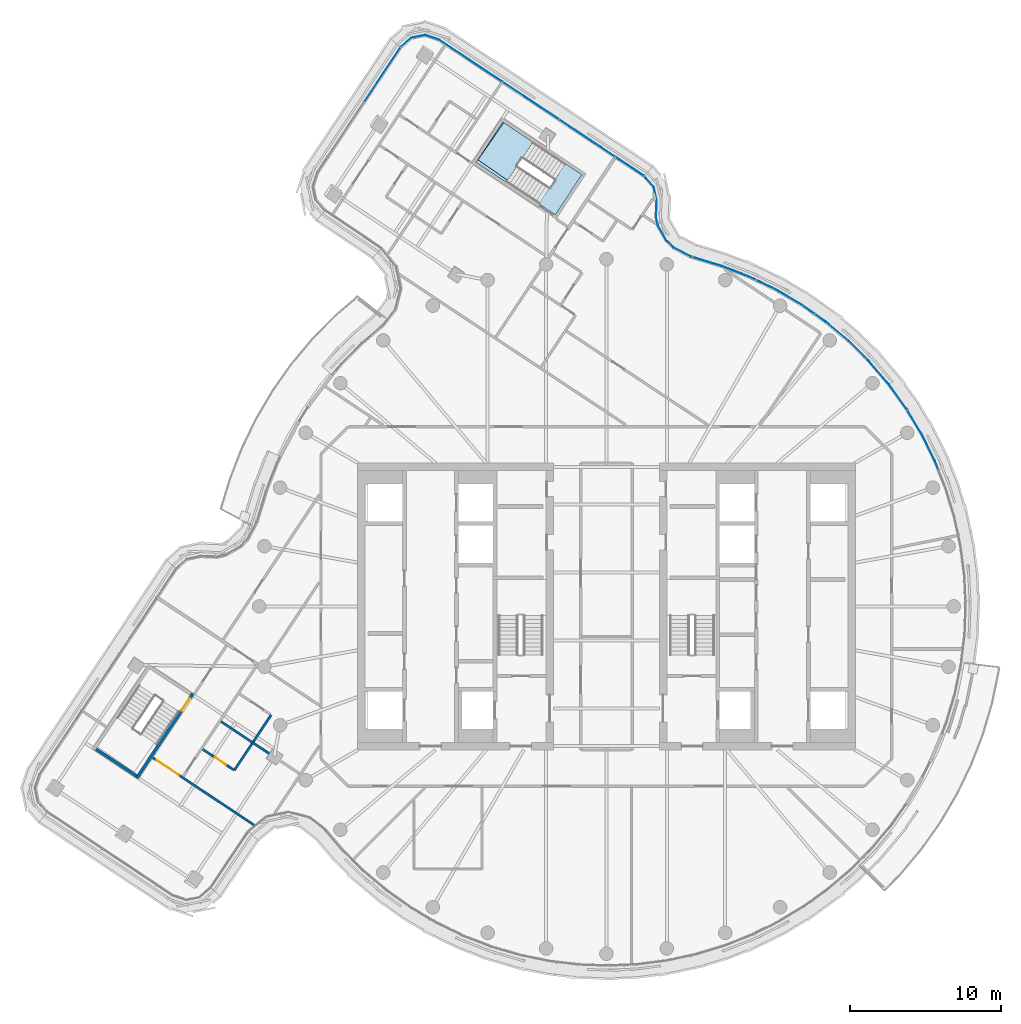
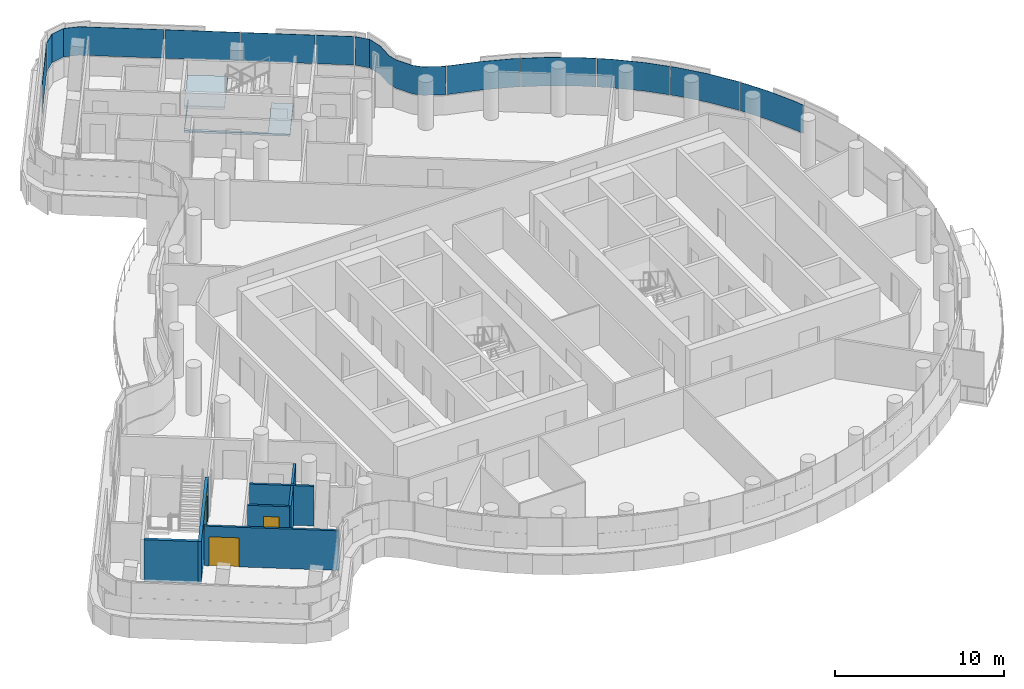
# One storey, part 16 of 27: 11 plates, 6 walls, 3 doors, 2 slabs, 3 openings, 4 elements without a shape of their own.
"""IFC4 building model written with IfcOpenShell, lengths in metres."""

from ifc_helpers import new_model, si_unit, direction, frame, frame_2d, origin, place, context, subcontext, project, spatial, polyline, rectangle, outline, extrude, material, layer, layer_set, type_object, element, fill, aggregate, save


model = new_model("IFC4")

# Units and contexts
model_context = context("Model", 3, precision=1e-05, world=origin(), true_north=direction((0.0, 1.0)))
body_context = subcontext(model_context, "Body", "Model", "MODEL_VIEW")
ifc_project = project(units=[si_unit("LENGTHUNIT", "METRE"), si_unit("AREAUNIT", "SQUARE_METRE"), si_unit("VOLUMEUNIT", "CUBIC_METRE"), si_unit("PLANEANGLEUNIT", "RADIAN"), si_unit("MASSUNIT", "GRAM", prefix="KILO")], contexts=[model_context])

# Site, building, storey
site_placement = place(None, origin())
site = spatial("IfcSite", under=ifc_project, at=site_placement, CompositionType="ELEMENT")
building_placement = place(site_placement, origin())
building = spatial("IfcBuilding", under=site, at=building_placement, Name="Tamarind Cross Interchange Tower", CompositionType="ELEMENT")
storey_placement = place(building_placement, frame((0.0, 0.0, 237.89990234375)))
storey = spatial("IfcBuildingStorey", under=building, at=storey_placement, Name="L60", CompositionType="ELEMENT", Elevation=237.89990234375)

# Slab
ifc_material_1 = material(Name="Concrete C35", Category="concrete")
ifc_layer_1 = layer(ifc_material_1, 0.139892578125)
ifc_layer_set_1 = layer_set([ifc_layer_1], Name="Concrete C35")
slab_type_1 = type_object("IfcSlabType", Name="Composite slab 140 Concrete C35", PredefinedType="FLOOR", material=ifc_layer_set_1)
slab_1_placement = place(storey_placement, frame((0.0, 0.0, -0.139892578125)))
element("IfcSlab", 1, at=slab_1_placement, inside=storey, type_object=slab_type_1, Name="Floor slab L60", PredefinedType="FLOOR", context=body_context, shape_type="SweptSolid", body=[
    extrude(outline(polyline([(-6.869873046875, 32.08251953125), (-8.6396484375, 29.41650390625), (-3.39111328125, 25.931884765625), (-1.62109375, 28.597900390625), (-2.645263671875, 29.277587890625), (-2.70703125, 29.318603515625), (-2.71435546875, 29.323486328125), (-4.42041015625, 26.753662109375), (-8.503173828125, 29.57275390625), (-6.801513671875, 32.037109375), (-6.869873046875, 32.08251953125)])), origin(), (0.0, 0.0, 1.0), 0.139892578125),
])

# Stair, slab
ifc_material_2 = material(Name="Exit stair")
stair_type = type_object("IfcStairType", Name="Exit stair", PredefinedType="HALF_TURN_STAIR", material=ifc_material_2)
stair_placement = place(storey_placement, origin())
stair = element("IfcStair", 2, at=stair_placement, inside=storey, type_object=stair_type, Name="L60 exit stair ST4", PredefinedType="HALF_TURN_STAIR")
ifc_material_3 = material(Name="Concrete C40", Category="concrete")
ifc_layer_2 = layer(ifc_material_3, 0.199951171875)
ifc_layer_set_2 = layer_set([ifc_layer_2], Name="Concrete C40")
slab_type_2 = type_object("IfcSlabType", Name="Stair landing", PredefinedType="LANDING", material=ifc_layer_set_2)
slab_2_placement = place(storey_placement, frame((0.0, 0.0, 1.60009765625)))
slab_2 = element("IfcSlab", 3, at=slab_2_placement, type_object=slab_type_2, Name="ST4 landing 1", PredefinedType="LANDING", context=body_context, shape_type="SweptSolid", body=[
    extrude(outline(polyline([(-4.8603515625, 30.748291015625), (-6.869873046875, 32.08251953125), (-8.6396484375, 29.41650390625), (-6.63037109375, 28.08251953125), (-4.8603515625, 30.748291015625)])), origin(), (0.0, 0.0, 1.0), 0.199951171875),
])
aggregate(stair, [slab_2])

# Curtain wall, plates
ifc_material_4 = material(Name="Aluminium 6063-T6", Category="aluminium")
ifc_layer_3 = layer(ifc_material_4, 0.139892578125)
ifc_layer_set_3 = layer_set([ifc_layer_3], Name="Aluminium 6063-T6")
curtain_wall_type = type_object("IfcCurtainWallType", Name="Hotel curtain wall, 4.5 m bays", PredefinedType="NOTDEFINED", material=ifc_layer_set_3)
curtain_wall_1_placement = place(storey_placement, origin())
curtain_wall_1 = element("IfcCurtainWall", 4, at=curtain_wall_1_placement, inside=storey, type_object=curtain_wall_type, Name="CWS-L60-02", PredefinedType="NOTDEFINED")
ifc_material_5 = material(Name="Laminated low-e glass 6+1.52+6", Category="glass")
ifc_layer_4 = layer(ifc_material_5, 0.02392578125)
ifc_layer_set_4 = layer_set([ifc_layer_4], Name="Laminated low-e glass 6+1.52+6")
plate_type = type_object("IfcPlateType", Name="Vision panel CW2", PredefinedType="CURTAIN_PANEL", material=ifc_layer_set_4)
plate_1_placement = place(storey_placement, frame((0.0, 0.0, 1.400146484375)))
plate_1 = element("IfcPlate", 5, at=plate_1_placement, type_object=plate_type, Name="CWP-L60-02-16", PredefinedType="CURTAIN_PANEL", context=body_context, shape_type="SweptSolid", body=[
    extrude(outline(polyline([(21.971923828125, 9.05859375), (21.7392578125, 9.6474609375), (20.868408203125, 11.40966796875), (19.93701171875, 12.95751953125), (19.95751953125, 12.9697265625), (20.889404296875, 11.421142578125), (21.76123046875, 9.6572265625), (21.994140625, 9.0673828125), (21.971923828125, 9.05859375)])), origin(), (0.0, 0.0, 1.0), 2.06005859375),
])
plate_2_placement = place(storey_placement, frame((0.0, 0.0, 1.400146484375)))
plate_2 = element("IfcPlate", 6, at=plate_2_placement, type_object=plate_type, Name="CWP-L60-02-17", PredefinedType="CURTAIN_PANEL", context=body_context, shape_type="SweptSolid", body=[
    extrude(outline(polyline([(19.906005859375, 13.0087890625), (19.854736328125, 13.093994140625), (18.705810546875, 14.68896484375), (17.4287109375, 16.183349609375), (17.1640625, 16.44580078125), (17.18115234375, 16.462890625), (17.4462890625, 16.19970703125), (18.724609375, 14.703857421875), (19.874755859375, 13.107177734375), (19.926513671875, 13.021240234375), (19.906005859375, 13.0087890625)])), origin(), (0.0, 0.0, 1.0), 2.06005859375),
])
plate_3_placement = place(storey_placement, frame((0.0, 0.0, 1.400146484375)))
plate_3 = element("IfcPlate", 7, at=plate_3_placement, type_object=plate_type, Name="CWP-L60-02-18", PredefinedType="CURTAIN_PANEL", context=body_context, shape_type="SweptSolid", body=[
    extrude(outline(polyline([(17.12158203125, 16.488037109375), (16.032958984375, 17.5673828125), (14.52734375, 18.83154296875), (13.78759765625, 19.35498046875), (13.80126953125, 19.37451171875), (14.5419921875, 18.850341796875), (16.049072265625, 17.585205078125), (17.138427734375, 16.505126953125), (17.12158203125, 16.488037109375)])), origin(), (0.0, 0.0, 1.0), 2.06005859375),
])
plate_4_placement = place(storey_placement, frame((0.0, 0.0, 1.400146484375)))
plate_4 = element("IfcPlate", 8, at=plate_4_placement, type_object=plate_type, Name="CWP-L60-02-19", PredefinedType="CURTAIN_PANEL", context=body_context, shape_type="SweptSolid", body=[
    extrude(outline(polyline([(13.738525390625, 19.3896484375), (12.922607421875, 19.966796875), (11.229736328125, 20.9658203125), (9.93310546875, 21.5927734375), (9.943603515625, 21.6142578125), (11.240966796875, 20.98681640625), (12.935791015625, 19.987060546875), (13.75244140625, 19.4091796875), (13.738525390625, 19.3896484375)])), origin(), (0.0, 0.0, 1.0), 2.06005859375),
])
plate_5_placement = place(storey_placement, frame((0.0, 0.0, 1.400146484375)))
plate_5 = element("IfcPlate", 9, at=plate_5_placement, type_object=plate_type, Name="CWP-L60-02-20", PredefinedType="CURTAIN_PANEL", context=body_context, shape_type="SweptSolid", body=[
    extrude(outline(polyline([(9.879150390625, 21.618896484375), (9.4599609375, 21.821533203125), (7.62451171875, 22.528564453125), (5.71044921875, 23.115966796875), (5.717529296875, 23.138916015625), (7.63232421875, 22.55126953125), (9.469482421875, 21.843505859375), (9.889404296875, 21.640380859375), (9.879150390625, 21.618896484375)])), origin(), (0.0, 0.0, 1.0), 2.06005859375),
])
plate_6_placement = place(storey_placement, frame((0.0, 0.0, 1.400146484375)))
plate_6 = element("IfcPlate", 10, at=plate_6_placement, type_object=plate_type, Name="CWP-L60-02-21", PredefinedType="CURTAIN_PANEL", context=body_context, shape_type="SweptSolid", body=[
    extrude(outline(polyline([(5.653076171875, 23.133544921875), (5.567626953125, 23.15966796875), (4.42626953125, 23.765625), (3.9921875, 24.186279296875), (3.416015625, 25.192626953125), (3.273193359375, 25.77978515625), (3.3203125, 26.87841796875), (3.122314453125, 27.790283203125), (2.520263671875, 28.4658203125), (2.538330078125, 28.48193359375), (3.144287109375, 27.801513671875), (3.344482421875, 26.88037109375), (3.29736328125, 25.7822265625), (3.4384765625, 25.20166015625), (4.01123046875, 24.200927734375), (4.4404296875, 23.785400390625), (5.576904296875, 23.181884765625), (5.66015625, 23.156494140625), (5.653076171875, 23.133544921875)])), origin(), (0.0, 0.0, 1.0), 2.06005859375),
])
aggregate(curtain_wall_1, [plate_1, plate_2, plate_3, plate_4, plate_5, plate_6])

curtain_wall_2_placement = place(storey_placement, origin())
curtain_wall_2 = element("IfcCurtainWall", 11, at=curtain_wall_2_placement, inside=storey, type_object=curtain_wall_type, Name="CWS-L60-03", PredefinedType="NOTDEFINED")
plate_7_placement = place(storey_placement, frame((0.0, 0.0, 1.400146484375)))
plate_7 = element("IfcPlate", 12, at=plate_7_placement, type_object=plate_type, Name="CWP-L60-03-00", PredefinedType="CURTAIN_PANEL", context=body_context, shape_type="SweptSolid", body=[
    extrude(outline(polyline([(2.477783203125, 28.5029296875), (0.598388671875, 29.75048828125), (0.611572265625, 29.7705078125), (2.490966796875, 28.52294921875), (2.477783203125, 28.5029296875)])), origin(), (0.0, 0.0, 1.0), 2.06005859375),
])
plate_8_placement = place(storey_placement, frame((0.0, 0.0, 1.400146484375)))
plate_8 = element("IfcPlate", 13, at=plate_8_placement, type_object=plate_type, Name="CWP-L60-03-01", PredefinedType="CURTAIN_PANEL", context=body_context, shape_type="SweptSolid", body=[
    extrude(outline(polyline([(0.54833984375, 29.78369140625), (-3.138671875, 32.231689453125), (-3.12548828125, 32.251708984375), (0.5615234375, 29.8037109375), (0.54833984375, 29.78369140625)])), origin(), (0.0, 0.0, 1.0), 2.06005859375),
])
plate_9_placement = place(storey_placement, frame((0.0, 0.0, 1.400146484375)))
plate_9 = element("IfcPlate", 14, at=plate_9_placement, type_object=plate_type, Name="CWP-L60-03-02", PredefinedType="CURTAIN_PANEL", context=body_context, shape_type="SweptSolid", body=[
    extrude(outline(polyline([(-3.188720703125, 32.264892578125), (-6.875732421875, 34.712646484375), (-6.862548828125, 34.732666015625), (-3.17529296875, 32.284912109375), (-3.188720703125, 32.264892578125)])), origin(), (0.0, 0.0, 1.0), 2.06005859375),
])
plate_10_placement = place(storey_placement, frame((0.0, 0.0, 1.400146484375)))
plate_10 = element("IfcPlate", 15, at=plate_10_placement, type_object=plate_type, Name="CWP-L60-03-03", PredefinedType="CURTAIN_PANEL", context=body_context, shape_type="SweptSolid", body=[
    extrude(outline(polyline([(-6.92578125, 34.745849609375), (-11.1162109375, 37.528076171875), (-12.017333984375, 37.8310546875), (-12.920654296875, 37.6484375), (-13.612060546875, 37.038330078125), (-13.6279296875, 37.056396484375), (-12.931640625, 37.670654296875), (-12.015625, 37.855712890625), (-11.10546875, 37.5498046875), (-6.912353515625, 34.765869140625), (-6.92578125, 34.745849609375)])), origin(), (0.0, 0.0, 1.0), 2.06005859375),
])
aggregate(curtain_wall_2, [plate_7, plate_8, plate_9, plate_10])

# Curtain wall, plate
curtain_wall_3_placement = place(storey_placement, origin())
curtain_wall_3 = element("IfcCurtainWall", 16, at=curtain_wall_3_placement, inside=storey, type_object=curtain_wall_type, Name="CWS-L60-04", PredefinedType="NOTDEFINED")
plate_11_placement = place(storey_placement, frame((0.0, 0.0, 1.400146484375)))
plate_11 = element("IfcPlate", 17, at=plate_11_placement, type_object=plate_type, Name="CWP-L60-04-00", PredefinedType="CURTAIN_PANEL", context=body_context, shape_type="SweptSolid", body=[
    extrude(outline(polyline([(-13.649169921875, 36.995849609375), (-16.01953125, 33.425537109375), (-16.03955078125, 33.438720703125), (-13.669189453125, 37.00927734375), (-13.649169921875, 36.995849609375)])), origin(), (0.0, 0.0, 1.0), 2.06005859375),
])
aggregate(curtain_wall_3, [plate_11])

# Wall, opening, door
ifc_material_6 = material(Name="Gypsum board partition on steel studs", Category="steel")
ifc_layer_5 = layer(ifc_material_6, 0.14990234375)
ifc_layer_set_5 = layer_set([ifc_layer_5], Name="Gypsum board partition on steel studs")
wall_type_1 = type_object("IfcWallType", Name="Partition 150 mm EI 120", PredefinedType="PARTITIONING", material=ifc_layer_set_5)
wall_1_placement = place(storey_placement, frame((-30.04541015625, -10.020751953125, 0.0), z_axis=(0.0, 0.0, 1.0), x_axis=(0.833292713763, -0.552832029815, 0.0)))
wall_1 = element("IfcWall", 18, at=wall_1_placement, inside=storey, type_object=wall_type_1, Name="Partition L60-005", PredefinedType="PARTITIONING", context=body_context, shape_type="SweptSolid", body=[
    extrude(rectangle(XDim=8.05810546875, YDim=0.14990234375, at=frame_2d((4.029052734375, 0.0))), origin(), (0.0, 0.0, 1.0), 2.864013671875),
])
opening_1_placement = place(wall_1_placement, frame((0.300048828125, 0.0, 0.0)))
opening_1 = element("IfcOpeningElement", 19, at=opening_1_placement, cuts=wall_1, Name="Opening D01", PredefinedType="OPENING", context=body_context, shape_type="SweptSolid", body=[
    extrude(rectangle(XDim=1.800048828125, YDim=2.10009765625, at=frame_2d((0.89990234375, 1.050048828125))), frame((0.0, 0.0849609375, 0.0), z_axis=(0.0, -1.0, 0.0), x_axis=(1.0, 0.0, 0.0)), (0.0, 0.0, 1.0), 0.169921875),
])
ifc_material_7 = material(Name="Fire-resisting door set")
door_type_1 = type_object("IfcDoorType", Name="Interior door 1800 x 2100 FD60S", OperationType="DOUBLE_DOOR_SINGLE_SWING", PredefinedType="DOOR", material=ifc_material_7)
door_1_placement = place(opening_1_placement, frame((1.800048828125, 0.0, 0.0), z_axis=(0.0, 0.0, 1.0), x_axis=(-1.0, 0.0, 0.0)))
door_1 = element("IfcDoor", 20, at=door_1_placement, inside=storey, type_object=door_type_1, Name="Door D01", OperationType="DOUBLE_DOOR_SINGLE_SWING", OverallHeight=2.10009765625, OverallWidth=1.800048828125, PredefinedType="DOOR", context=body_context, shape_type="SweptSolid", body=[
    extrude(rectangle(XDim=1.800048828125, YDim=2.10009765625, at=frame_2d((0.89990234375, 1.050048828125))), frame((0.0, 0.02490234375, 0.0), z_axis=(0.0, -1.0, 0.0), x_axis=(1.0, 0.0, 0.0)), (0.0, 0.0, 1.0), 0.050048828125),
])
fill(opening_1, door_1)

wall_2_placement = place(storey_placement, frame((-26.741455078125, -9.455078125, 0.0), z_axis=(0.0, 0.0, 1.0), x_axis=(0.833100475291, -0.553121684685, 0.0)))
wall_2 = element("IfcWall", 21, at=wall_2_placement, inside=storey, type_object=wall_type_1, Name="Partition L60-008", PredefinedType="PARTITIONING", context=body_context, shape_type="SweptSolid", body=[
    extrude(rectangle(XDim=2.5, YDim=0.14990234375, at=frame_2d((1.25, 0.0))), origin(), (0.0, 0.0, 1.0), 2.864013671875),
])
opening_2_placement = place(wall_2_placement, frame((0.969970703125, 0.0, 0.0)))
opening_2 = element("IfcOpeningElement", 22, at=opening_2_placement, cuts=wall_2, Name="Opening D03", PredefinedType="OPENING", context=body_context, shape_type="SweptSolid", body=[
    extrude(rectangle(XDim=0.89990234375, YDim=2.10009765625, at=frame_2d((0.449951171875, 1.050048828125))), frame((0.0, 0.0849609375, 0.0), z_axis=(0.0, -1.0, 0.0), x_axis=(1.0, 0.0, 0.0)), (0.0, 0.0, 1.0), 0.169921875),
])
door_type_2 = type_object("IfcDoorType", Name="Interior door 900 x 2100 FD60S", OperationType="SINGLE_SWING_LEFT", PredefinedType="DOOR", material=ifc_material_7)
door_2_placement = place(opening_2_placement, origin())
door_2 = element("IfcDoor", 23, at=door_2_placement, inside=storey, type_object=door_type_2, Name="Door D03", OperationType="SINGLE_SWING_LEFT", OverallHeight=2.10009765625, OverallWidth=0.89990234375, PredefinedType="DOOR", context=body_context, shape_type="SweptSolid", body=[
    extrude(rectangle(XDim=0.89990234375, YDim=2.10009765625, at=frame_2d((0.449951171875, 1.050048828125))), frame((0.0, 0.02490234375, 0.0), z_axis=(0.0, -1.0, 0.0), x_axis=(1.0, 0.0, 0.0)), (0.0, 0.0, 1.0), 0.050048828125),
])
fill(opening_2, door_2)

# Walls
wall_3_placement = place(storey_placement, frame((-25.5244140625, -7.623291015625, 0.0), z_axis=(0.0, 0.0, 1.0), x_axis=(0.833112670417, -0.553103316199, 0.0)))
element("IfcWall", 24, at=wall_3_placement, inside=storey, type_object=wall_type_1, Name="Partition L60-009", PredefinedType="PARTITIONING", context=body_context, shape_type="SweptSolid", body=[
    extrude(rectangle(XDim=3.812744140625, YDim=0.14990234375, at=frame_2d((1.90625, 0.0))), origin(), (0.0, 0.0, 1.0), 2.864013671875),
])
wall_4_placement = place(storey_placement, frame((-24.64208984375, -10.84912109375, 0.0), z_axis=(0.0, 0.0, 1.0), x_axis=(0.553342097608, 0.832954094182, 0.0)))
element("IfcWall", 25, at=wall_4_placement, inside=storey, type_object=wall_type_1, Name="Partition L60-042", PredefinedType="PARTITIONING", context=body_context, shape_type="SweptSolid", body=[
    extrude(rectangle(XDim=4.399658203125, YDim=0.14990234375, at=frame_2d((2.19970703125, 0.0))), origin(), (0.0, 0.0, 1.0), 2.864013671875),
])

# Wall, opening, door
ifc_layer_6 = layer(ifc_material_3, 0.199951171875)
ifc_layer_set_6 = layer_set([ifc_layer_6], Name="Concrete C40")
wall_type_2 = type_object("IfcWallType", Name="Stair shaft wall 200 mm Concrete C40", PredefinedType="SHEAR", material=ifc_layer_set_6)
wall_5_placement = place(storey_placement, frame((-27.397216796875, -5.779296875, -0.139892578125), z_axis=(0.0, 0.0, 1.0), x_axis=(-0.553135167248, -0.833091523636, 0.0)))
wall_5 = element("IfcWall", 26, at=wall_5_placement, inside=storey, type_object=wall_type_2, Name="Core wall CWL-L60-ST5-H", PredefinedType="SHEAR", context=body_context, shape_type="SweptSolid", body=[
    extrude(rectangle(XDim=6.7001953125, YDim=0.199951171875, at=frame_2d((3.35009765625, 0.0))), origin(), (0.0, 0.0, 1.0), 3.00390625),
])
opening_3_placement = place(wall_5_placement, frame((0.35009765625, 0.0, 0.0)))
opening_3 = element("IfcOpeningElement", 27, at=opening_3_placement, cuts=wall_5, Name="Opening ST5L60", PredefinedType="OPENING", context=body_context, shape_type="SweptSolid", body=[
    extrude(rectangle(XDim=1.0, YDim=2.10009765625, at=frame_2d((0.5, 1.050048828125))), frame((0.0, 0.10986328125, 0.0), z_axis=(0.0, -1.0, 0.0), x_axis=(1.0, 0.0, 0.0)), (0.0, 0.0, 1.0), 0.219970703125),
])
ifc_material_8 = material(Name="Steel, fire-resisting", Category="steel")
door_type_3 = type_object("IfcDoorType", Name="Core fire door 1000 x 2100 FD90", OperationType="SINGLE_SWING_LEFT", PredefinedType="DOOR", material=ifc_material_8)
door_3_placement = place(opening_3_placement, origin())
door_3 = element("IfcDoor", 28, at=door_3_placement, inside=storey, type_object=door_type_3, Name="L60 stair door ST5", OperationType="SINGLE_SWING_LEFT", OverallHeight=2.10009765625, OverallWidth=1.0, PredefinedType="DOOR", context=body_context, shape_type="SweptSolid", body=[
    extrude(rectangle(XDim=1.0, YDim=2.10009765625, at=frame_2d((0.5, 1.050048828125))), frame((0.0, 0.02490234375, 0.0), z_axis=(0.0, -1.0, 0.0), x_axis=(1.0, 0.0, 0.0)), (0.0, 0.0, 1.0), 0.050048828125),
])
fill(opening_3, door_3)

# Wall
wall_6_placement = place(storey_placement, frame((0.0, 0.0, -0.139892578125)))
element("IfcWall", 29, at=wall_6_placement, inside=storey, type_object=wall_type_2, Name="Core wall CWL-L60-ST5-CF", PredefinedType="SHEAR", context=body_context, shape_type="SweptSolid", body=[
    extrude(outline(polyline([(-33.74169921875, -9.369140625), (-33.852294921875, -9.53564453125), (-31.1865234375, -11.3056640625), (-31.075927734375, -11.13916015625), (-33.74169921875, -9.369140625)])), origin(), (0.0, 0.0, 1.0), 3.00390625),
])

save(model, "model.ifc")
